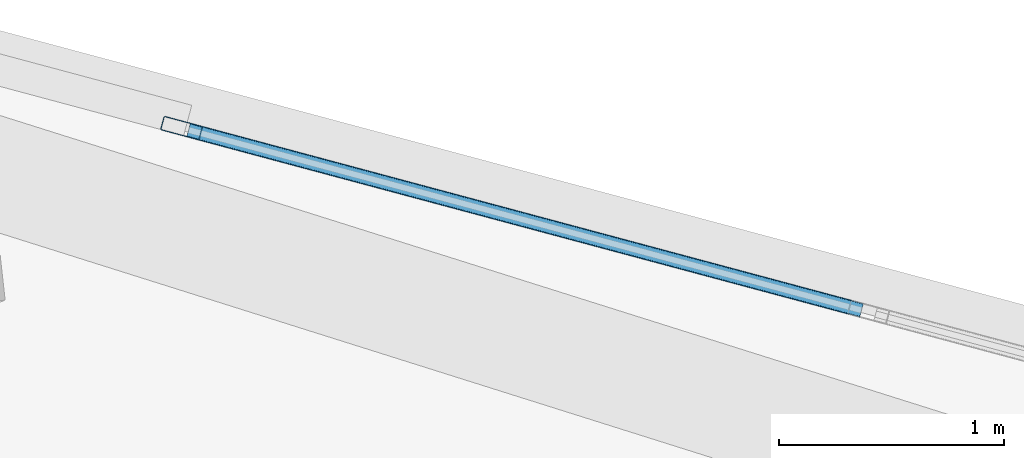
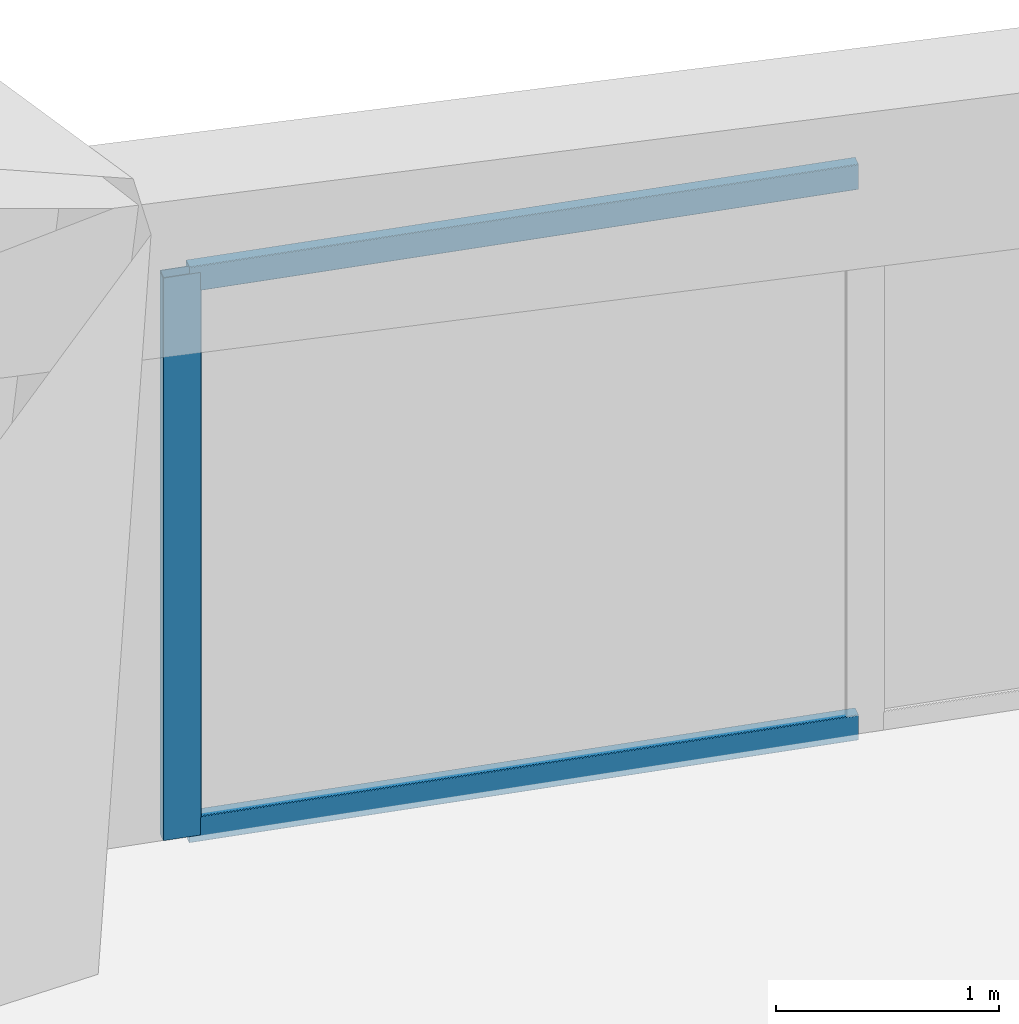
# One storey, part 17 of 27: 3 members, 1 element without a shape of its own.
"""IFC4 building model written with IfcOpenShell, lengths in metres."""

from ifc_helpers import new_model, si_unit, direction, frame, origin, origin_2d, place, context, subcontext, project, spatial, hollow_rectangle, extrude, source, transform, mapped, material, material_profile, profile_set, type_object, element, aggregate, save


model = new_model("IFC4")

# Units and contexts
model_context = context("Model", 3, precision=1e-05, world=origin(), true_north=direction((0.0, 1.0)))
body_context = subcontext(model_context, "Body", "Model", "MODEL_VIEW")
ifc_project = project(units=[si_unit("LENGTHUNIT", "METRE"), si_unit("AREAUNIT", "SQUARE_METRE"), si_unit("VOLUMEUNIT", "CUBIC_METRE"), si_unit("PLANEANGLEUNIT", "RADIAN"), si_unit("MASSUNIT", "GRAM", prefix="KILO")], contexts=[model_context])

# Site, building, storey
site_placement = place(None, origin())
site = spatial("IfcSite", under=ifc_project, at=site_placement, CompositionType="ELEMENT")
building_placement = place(site_placement, origin())
building = spatial("IfcBuilding", under=site, at=building_placement, Name="Torre Montelarca", CompositionType="ELEMENT")
storey_placement = place(building_placement, frame((0.0, 0.0, 108.39990234375)))
storey = spatial("IfcBuildingStorey", under=building, at=storey_placement, Name="L24", CompositionType="ELEMENT", Elevation=108.39990234375)

# Curtain wall, members
ifc_material_1 = material(Name="Insulated low-E laminated glass", Category="glass")
curtain_wall_type = type_object("IfcCurtainWallType", Name="CW-SYS-Z1", PredefinedType="USERDEFINED", material=ifc_material_1)
curtain_wall_placement = place(storey_placement, origin())
curtain_wall = element("IfcCurtainWall", 1, at=curtain_wall_placement, inside=storey, type_object=curtain_wall_type, Name="L24 Curtain Wall Run CW-T3-L24-E08-B3", ObjectType="UNITISED GLAZING", PredefinedType="USERDEFINED")
ifc_material_2 = material(Name="Anodised aluminium AA 6063-T6", Category="aluminium")
ifc_material_profile_1 = material_profile(ifc_material_2, hollow_rectangle(XDim=0.06494140625, YDim=0.139892578125, WallThickness=0.00390625, InnerFilletRadius=0.00390625, OuterFilletRadius=0.008056640625, at=origin_2d()), Name="ALU65X140X4", Category="aluminium")
ifc_profile_set_1 = profile_set([ifc_material_profile_1], Name="Anodised aluminium AA 6063-T6")
member_type_1 = type_object("IfcMemberType", Name="CWT-ALU140", PredefinedType="USERDEFINED", material=ifc_profile_set_1)
shared_shape_1 = source(origin(), body_context, "Body", "SweptSolid", [
    extrude(hollow_rectangle(XDim=0.06494140625, YDim=0.139892578125, WallThickness=0.00390625, InnerFilletRadius=0.00390625, OuterFilletRadius=0.008056640625, at=origin_2d()), origin(), (0.0, 0.0, 1.0), 3.101806640625),
])
member_1_placement = place(storey_placement, frame((18.38525390625, 49.471435546875, 0.03271484375), z_axis=(-0.965931188006, 0.258799034075, 0.0), x_axis=(-0.258799034075, -0.965931188006, 0.0)))
member_1 = element("IfcMember", 2, at=member_1_placement, type_object=member_type_1, Name="CW transom 2.1", ObjectType="TRANSOM", PredefinedType="USERDEFINED", context=body_context, shape_type="MappedRepresentation", body=[
    mapped(shared_shape_1, transform((0.0, 0.0, 0.0), scale=1.0)),
])
member_2_placement = place(storey_placement, frame((18.38525390625, 49.471435546875, 3.04248046875), z_axis=(-0.965931188006, 0.258799034075, 0.0), x_axis=(-0.258799034075, -0.965931188006, 0.0)))
member_2 = element("IfcMember", 3, at=member_2_placement, type_object=member_type_1, Name="CW transom 2.2", ObjectType="TRANSOM", PredefinedType="USERDEFINED", context=body_context, shape_type="MappedRepresentation", body=[
    mapped(shared_shape_1, transform((0.0, 0.0, 0.0), scale=1.0)),
])
ifc_material_profile_2 = material_profile(ifc_material_2, hollow_rectangle(XDim=0.06494140625, YDim=0.179931640625, WallThickness=0.00390625, InnerFilletRadius=0.00390625, OuterFilletRadius=0.008056640625, at=origin_2d()), Name="ALU65X180X4", Category="aluminium")
ifc_profile_set_2 = profile_set([ifc_material_profile_2], Name="Anodised aluminium AA 6063-T6")
member_type_2 = type_object("IfcMemberType", Name="CWM-ALU180", PredefinedType="MULLION", material=ifc_profile_set_2)
shared_shape_2 = source(origin(), body_context, "Body", "SweptSolid", [
    extrude(hollow_rectangle(XDim=0.06494140625, YDim=0.179931640625, WallThickness=0.00390625, InnerFilletRadius=0.00390625, OuterFilletRadius=0.008056640625, at=origin_2d()), origin(), (0.0, 0.0, 1.0), 3.0751953125),
])
member_3_placement = place(storey_placement, frame((15.35791015625, 50.28271484375, 0.0), z_axis=(0.0, 0.0, 1.0), x_axis=(-0.25880639143, -0.965929216741, 0.0)))
member_3 = element("IfcMember", 4, at=member_3_placement, type_object=member_type_2, Name="CW mullion 3", PredefinedType="MULLION", context=body_context, shape_type="MappedRepresentation", body=[
    mapped(shared_shape_2, transform((0.0, 0.0, 0.0), scale=1.0)),
])
aggregate(curtain_wall, [member_3, member_1, member_2])

save(model, "model.ifc")
